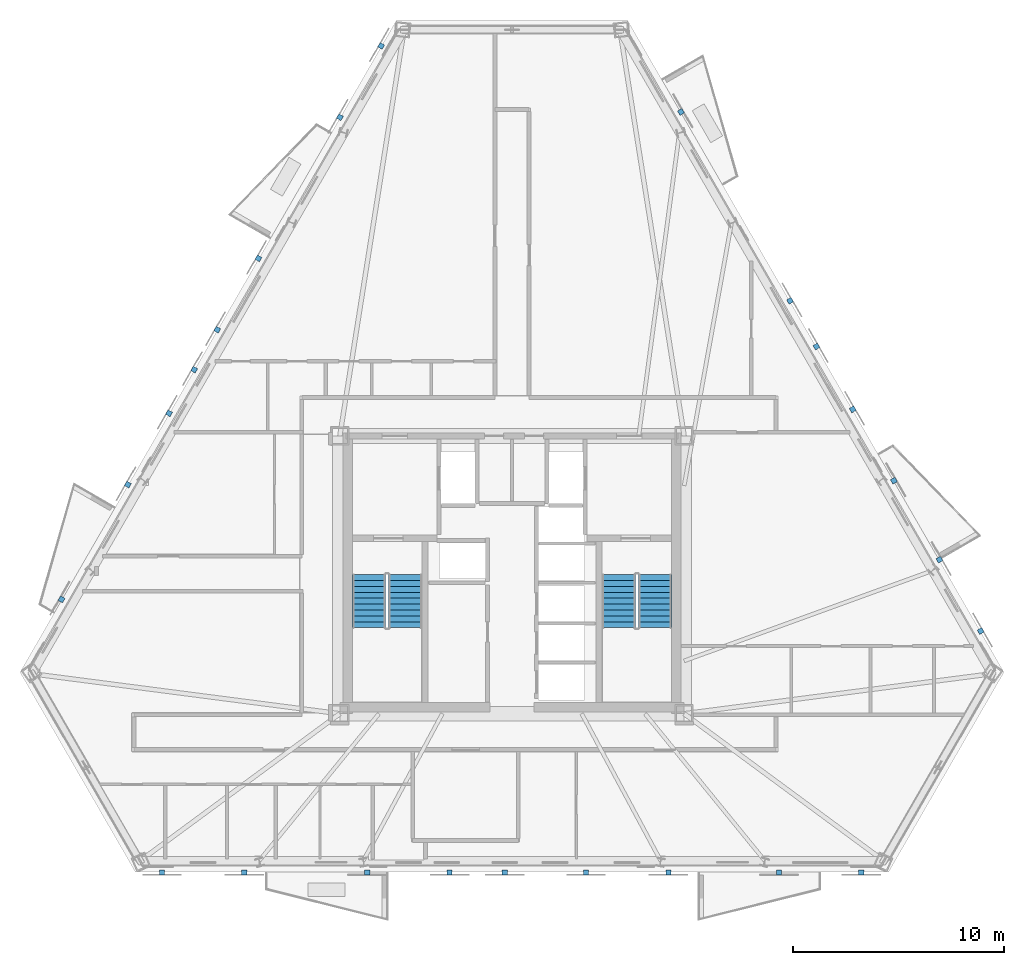
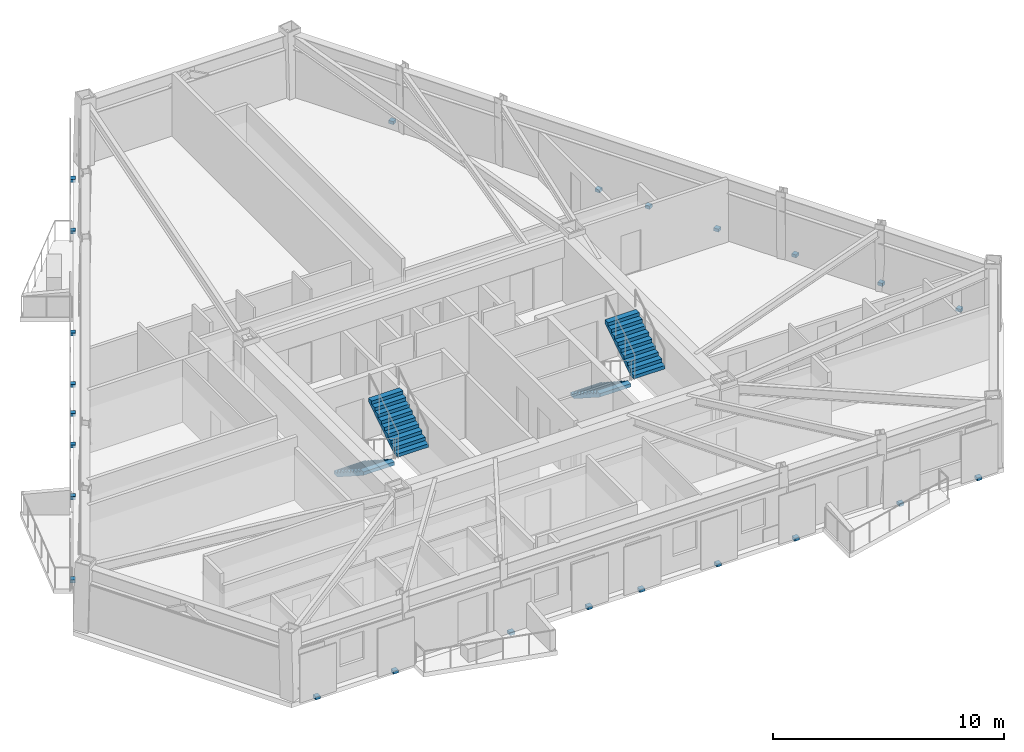
# One storey, part 6 of 9: 24 discrete accessories, 4 stair flights, 2 elements without a shape of their own.
"""IFC4 building model written with IfcOpenShell, lengths in metres."""

from ifc_helpers import new_model, si_unit, direction, frame, origin, origin_2d, place, context, subcontext, project, spatial, polyline, rectangle, outline, extrude, material, type_object, element, aggregate, save


model = new_model("IFC4")

# Units and contexts
model_context = context("Model", 3, precision=1e-05, world=origin(), true_north=direction((0.0, 1.0)))
body_context = subcontext(model_context, "Body", "Model", "MODEL_VIEW")
ifc_project = project(units=[si_unit("LENGTHUNIT", "METRE"), si_unit("AREAUNIT", "SQUARE_METRE"), si_unit("VOLUMEUNIT", "CUBIC_METRE"), si_unit("PLANEANGLEUNIT", "RADIAN"), si_unit("MASSUNIT", "GRAM", prefix="KILO")], contexts=[model_context])

# Site, building, storey
site_placement = place(None, origin())
site = spatial("IfcSite", under=ifc_project, at=site_placement, CompositionType="ELEMENT")
building_placement = place(site_placement, origin())
building = spatial("IfcBuilding", under=site, at=building_placement, Name="Oramaril Tower", CompositionType="ELEMENT")
storey_placement = place(building_placement, frame((0.0, 0.0, 130.199951171875)))
storey = spatial("IfcBuildingStorey", under=building, at=storey_placement, Name="L34", CompositionType="ELEMENT", Elevation=130.199951171875)

# Stair, stair flights
ifc_material_1 = material(Name="Concrete C50/60", Category="concrete")
stair_type = type_object("IfcStairType", Name="STT-DG-3600", PredefinedType="HALF_TURN_STAIR", material=ifc_material_1)
stair_1_placement = place(storey_placement, origin())
stair_1 = element("IfcStair", 1, at=stair_1_placement, inside=storey, type_object=stair_type, Name="L34 Protected PFP Exit Stair ST-1", PredefinedType="HALF_TURN_STAIR")
ifc_material_2 = material(Name="Concrete C50/60", Category="concrete")
stair_flight_type = type_object("IfcStairFlightType", Name="SFT-DG-3600", PredefinedType="STRAIGHT", material=ifc_material_2)
stair_flight_1_placement = place(storey_placement, frame((30.72998046875, 17.590087890625, 0.0), z_axis=(0.0, 0.0, 1.0), x_axis=(0.0, -1.0, 0.0)))
stair_flight_1 = element("IfcStairFlight", 2, at=stair_flight_1_placement, type_object=stair_flight_type, Name="ST-1 flight 1", NumberOfRisers=10, NumberOfTreads=9, PredefinedType="STRAIGHT", RiserHeight=0.18, TreadLength=0.28, context=body_context, shape_type="SweptSolid", body=[
    extrude(outline(polyline([(0.0, 0.0), (0.0, 0.179931640625), (0.280029296875, 0.179931640625), (0.280029296875, 0.360107421875), (0.56005859375, 0.360107421875), (0.56005859375, 0.5400390625), (0.840087890625, 0.5400390625), (0.840087890625, 0.719970703125), (1.1201171875, 0.719970703125), (1.1201171875, 0.89990234375), (1.39990234375, 0.89990234375), (1.39990234375, 1.080078125), (1.679931640625, 1.080078125), (1.679931640625, 1.260009765625), (1.9599609375, 1.260009765625), (1.9599609375, 1.43994140625), (2.239990234375, 1.43994140625), (2.239990234375, 1.6201171875), (2.52001953125, 1.6201171875), (2.52001953125, 1.800048828125), (2.52001953125, 1.44189453125), (0.277099609375, 0.0), (0.0, 0.0)])), frame((0.0, 0.780029296875, 0.0), z_axis=(0.0, -1.0, 0.0), x_axis=(1.0, 0.0, 0.0)), (0.0, 0.0, 1.0), 1.56005859375),
])
stair_flight_2_placement = place(storey_placement, frame((32.43994140625, 15.070068359375, 1.800048828125), z_axis=(0.0, 0.0, 1.0), x_axis=(0.0, 1.0, 0.0)))
stair_flight_2 = element("IfcStairFlight", 3, at=stair_flight_2_placement, type_object=stair_flight_type, Name="ST-1 flight 2", NumberOfRisers=10, NumberOfTreads=9, PredefinedType="STRAIGHT", RiserHeight=0.18, TreadLength=0.28, context=body_context, shape_type="SweptSolid", body=[
    extrude(outline(polyline([(0.0, 0.0), (0.0, 0.179931640625), (0.280029296875, 0.179931640625), (0.280029296875, 0.360107421875), (0.56005859375, 0.360107421875), (0.56005859375, 0.5400390625), (0.840087890625, 0.5400390625), (0.840087890625, 0.719970703125), (1.1201171875, 0.719970703125), (1.1201171875, 0.89990234375), (1.39990234375, 0.89990234375), (1.39990234375, 1.080078125), (1.679931640625, 1.080078125), (1.679931640625, 1.260009765625), (1.9599609375, 1.260009765625), (1.9599609375, 1.43994140625), (2.239990234375, 1.43994140625), (2.239990234375, 1.6201171875), (2.52001953125, 1.6201171875), (2.52001953125, 1.800048828125), (2.52001953125, 1.44189453125), (0.277099609375, 0.0), (0.0, 0.0)])), frame((0.0, 0.780029296875, 0.0), z_axis=(0.0, -1.0, 0.0), x_axis=(1.0, 0.0, 0.0)), (0.0, 0.0, 1.0), 1.56005859375),
])
aggregate(stair_1, [stair_flight_1, stair_flight_2])

stair_2_placement = place(storey_placement, origin())
stair_2 = element("IfcStair", 4, at=stair_2_placement, inside=storey, type_object=stair_type, Name="L34 Protected PFP Exit Stair ST-2", PredefinedType="HALF_TURN_STAIR")
stair_flight_3_placement = place(storey_placement, frame((42.56005859375, 17.590087890625, 0.0), z_axis=(0.0, 0.0, 1.0), x_axis=(0.0, -1.0, 0.0)))
stair_flight_3 = element("IfcStairFlight", 5, at=stair_flight_3_placement, type_object=stair_flight_type, Name="ST-2 flight 1", NumberOfRisers=10, NumberOfTreads=9, PredefinedType="STRAIGHT", RiserHeight=0.18, TreadLength=0.28, context=body_context, shape_type="SweptSolid", body=[
    extrude(outline(polyline([(0.0, 0.0), (0.0, 0.179931640625), (0.280029296875, 0.179931640625), (0.280029296875, 0.360107421875), (0.56005859375, 0.360107421875), (0.56005859375, 0.5400390625), (0.840087890625, 0.5400390625), (0.840087890625, 0.719970703125), (1.1201171875, 0.719970703125), (1.1201171875, 0.89990234375), (1.39990234375, 0.89990234375), (1.39990234375, 1.080078125), (1.679931640625, 1.080078125), (1.679931640625, 1.260009765625), (1.9599609375, 1.260009765625), (1.9599609375, 1.43994140625), (2.239990234375, 1.43994140625), (2.239990234375, 1.6201171875), (2.52001953125, 1.6201171875), (2.52001953125, 1.800048828125), (2.52001953125, 1.44189453125), (0.277099609375, 0.0), (0.0, 0.0)])), frame((0.0, 0.780029296875, 0.0), z_axis=(0.0, -1.0, 0.0), x_axis=(1.0, 0.0, 0.0)), (0.0, 0.0, 1.0), 1.56005859375),
])
stair_flight_4_placement = place(storey_placement, frame((44.27001953125, 15.070068359375, 1.800048828125), z_axis=(0.0, 0.0, 1.0), x_axis=(0.0, 1.0, 0.0)))
stair_flight_4 = element("IfcStairFlight", 6, at=stair_flight_4_placement, type_object=stair_flight_type, Name="ST-2 flight 2", NumberOfRisers=10, NumberOfTreads=9, PredefinedType="STRAIGHT", RiserHeight=0.18, TreadLength=0.28, context=body_context, shape_type="SweptSolid", body=[
    extrude(outline(polyline([(0.0, 0.0), (0.0, 0.179931640625), (0.280029296875, 0.179931640625), (0.280029296875, 0.360107421875), (0.56005859375, 0.360107421875), (0.56005859375, 0.5400390625), (0.840087890625, 0.5400390625), (0.840087890625, 0.719970703125), (1.1201171875, 0.719970703125), (1.1201171875, 0.89990234375), (1.39990234375, 0.89990234375), (1.39990234375, 1.080078125), (1.679931640625, 1.080078125), (1.679931640625, 1.260009765625), (1.9599609375, 1.260009765625), (1.9599609375, 1.43994140625), (2.239990234375, 1.43994140625), (2.239990234375, 1.6201171875), (2.52001953125, 1.6201171875), (2.52001953125, 1.800048828125), (2.52001953125, 1.44189453125), (0.277099609375, 0.0), (0.0, 0.0)])), frame((0.0, 0.780029296875, 0.0), z_axis=(0.0, -1.0, 0.0), x_axis=(1.0, 0.0, 0.0)), (0.0, 0.0, 1.0), 1.56005859375),
])
aggregate(stair_2, [stair_flight_3, stair_flight_4])

# Discrete accessories
for number, where, z_axis, x_axis, name in (
    (7, (30.6484375, 3.47998046875, -0.14013671875), (0.0, 0.0, 1.0), (1.0, 0.0, 0.0), "L34 Solar Screen Slab Bracket"),
    (8, (34.54833984375, 3.47998046875, -0.14013671875), (0.0, 0.0, 1.0), (1.0, 0.0, 0.0), "L34 Solar Screen Slab Bracket"),
    (9, (37.156494140625, 3.47998046875, -0.14013671875), (0.0, 0.0, 1.0), (1.0, 0.0, 0.0), "L34 Solar Screen Slab Bracket"),
    (10, (40.99853515625, 3.47998046875, -0.14013671875), (0.0, 0.0, 1.0), (1.0, 0.0, 0.0), "L34 Solar Screen Slab Bracket"),
    (11, (44.8984375, 3.47998046875, -0.14013671875), (0.0, 0.0, 1.0), (1.0, 0.0, 0.0), "L34 Solar Screen Slab Bracket"),
    (12, (50.1337890625, 3.47998046875, -0.14013671875), (0.0, 0.0, 1.0), (1.0, 0.0, 0.0), "L34 Solar Screen Slab Bracket"),
    (13, (54.03369140625, 3.47998046875, -0.14013671875), (0.0, 0.0, 1.0), (1.0, 0.0, 0.0), "L34 Solar Screen Slab Bracket"),
    (14, (20.926513671875, 3.47998046875, -0.14013671875), (0.0, 0.0, 1.0), (1.0, 0.0, 0.0), "L34 Solar Screen Slab Bracket"),
    (15, (24.82666015625, 3.47998046875, -0.14013671875), (0.0, 0.0, 1.0), (1.0, 0.0, 0.0), "L34 Solar Screen Slab Bracket"),
    (16, (59.685302734375, 14.913818359375, -0.14013671875), (0.0, 0.0, 1.0), (-0.4999984885, 0.866026276448, 0.0), "L34 Solar Screen Slab Bracket"),
    (17, (57.7353515625, 18.29150390625, -0.14013671875), (0.0, 0.0, 1.0), (-0.4999984885, 0.866026276448, 0.0), "L34 Solar Screen Slab Bracket"),
    (18, (55.576904296875, 22.02978515625, -0.14013671875), (0.0, 0.0, 1.0), (-0.4999984885, 0.866026276448, 0.0), "L34 Solar Screen Slab Bracket"),
    (19, (53.626953125, 25.407470703125, -0.14013671875), (0.0, 0.0, 1.0), (-0.4999984885, 0.866026276448, 0.0), "L34 Solar Screen Slab Bracket"),
    (20, (45.498046875, 39.4873046875, -0.14013671875), (0.0, 0.0, 1.0), (-0.4999984885, 0.866026276448, 0.0), "L34 Solar Screen Slab Bracket"),
    (21, (51.910400390625, 28.38037109375, -0.14013671875), (0.0, 0.0, 1.0), (-0.4999984885, 0.866026276448, 0.0), "L34 Solar Screen Slab Bracket"),
    (22, (50.661376953125, 30.544189453125, -0.14013671875), (0.0, 0.0, 1.0), (-0.4999984885, 0.866026276448, 0.0), "L34 Solar Screen Slab Bracket"),
    (23, (16.17919921875, 16.411376953125, -0.14013671875), (0.0, 0.0, 1.0), (-0.4999984885, -0.866026276448, 0.0), "L34 Solar Screen Slab Bracket"),
    (24, (21.265869140625, 25.2216796875, -0.14013671875), (0.0, 0.0, 1.0), (-0.4999984885, -0.866026276448, 0.0), "L34 Solar Screen Slab Bracket"),
    (25, (19.31591796875, 21.843994140625, -0.14013671875), (0.0, 0.0, 1.0), (-0.4999984885, -0.866026276448, 0.0), "L34 Solar Screen Slab Bracket"),
    (26, (31.3056640625, 42.611328125, -0.14013671875), (0.0, 0.0, 1.0), (-0.4999984885, -0.866026276448, 0.0), "L34 Solar Screen Slab Bracket"),
    (27, (29.355712890625, 39.23388671875, -0.14013671875), (0.0, 0.0, 1.0), (-0.4999984885, -0.866026276448, 0.0), "L34 Solar Screen Slab Bracket"),
    (28, (25.4990234375, 32.553955078125, -0.14013671875), (0.0, 0.0, 1.0), (-0.4999984885, -0.866026276448, 0.0), "L34 Solar Screen Slab Bracket"),
    (29, (23.549072265625, 29.176513671875, -0.14013671875), (0.0, 0.0, 1.0), (-0.4999984885, -0.866026276448, 0.0), "L34 Solar Screen Slab Bracket"),
    (30, (22.45751953125, 27.28564453125, -0.14013671875), (0.0, 0.0, 1.0), (-0.4999984885, -0.866026276448, 0.0), "L34 Solar Screen Slab Bracket"),
):
    element("IfcDiscreteAccessory", number, at=place(storey_placement, frame(where, z_axis=z_axis, x_axis=x_axis)), inside=storey, Name=name, PredefinedType="BRACKET", context=body_context, shape_type="SweptSolid", body=[
        extrude(rectangle(XDim=0.239990234375, YDim=0.239990234375, at=origin_2d()), origin(), (0.0, 0.0, 1.0), 0.159912109375),
    ])

save(model, "model.ifc")
